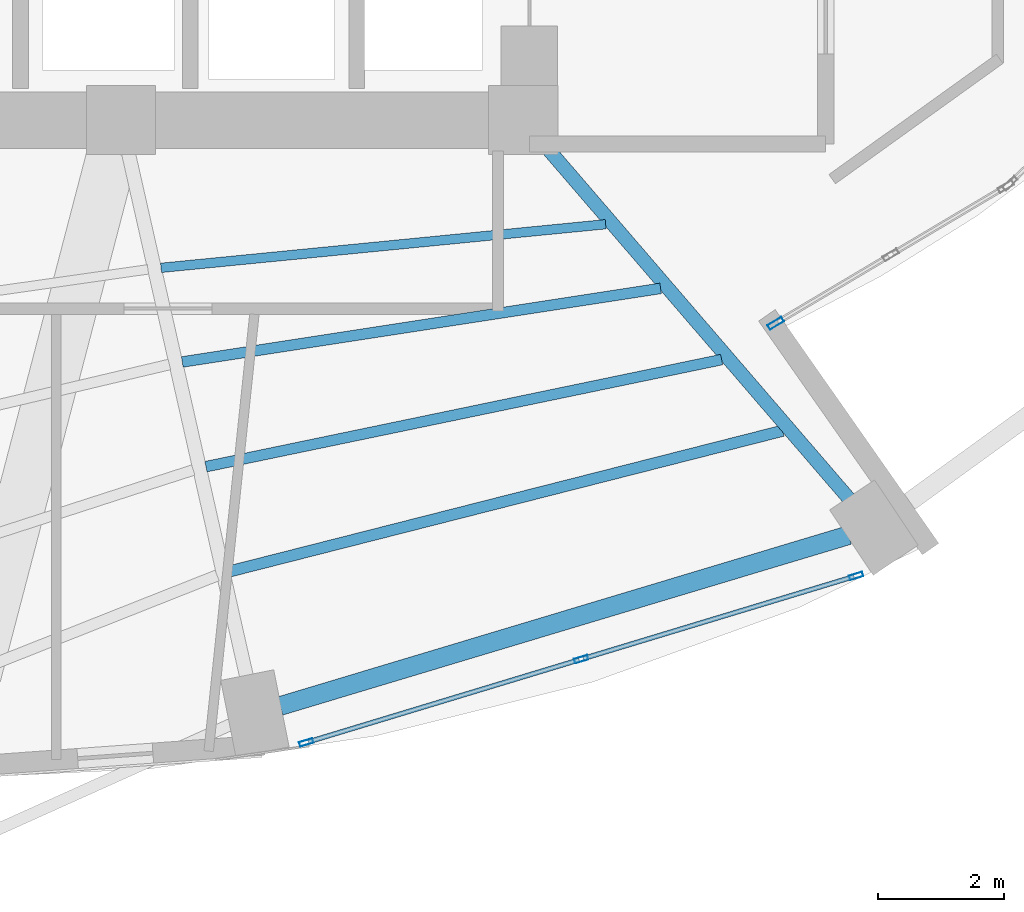
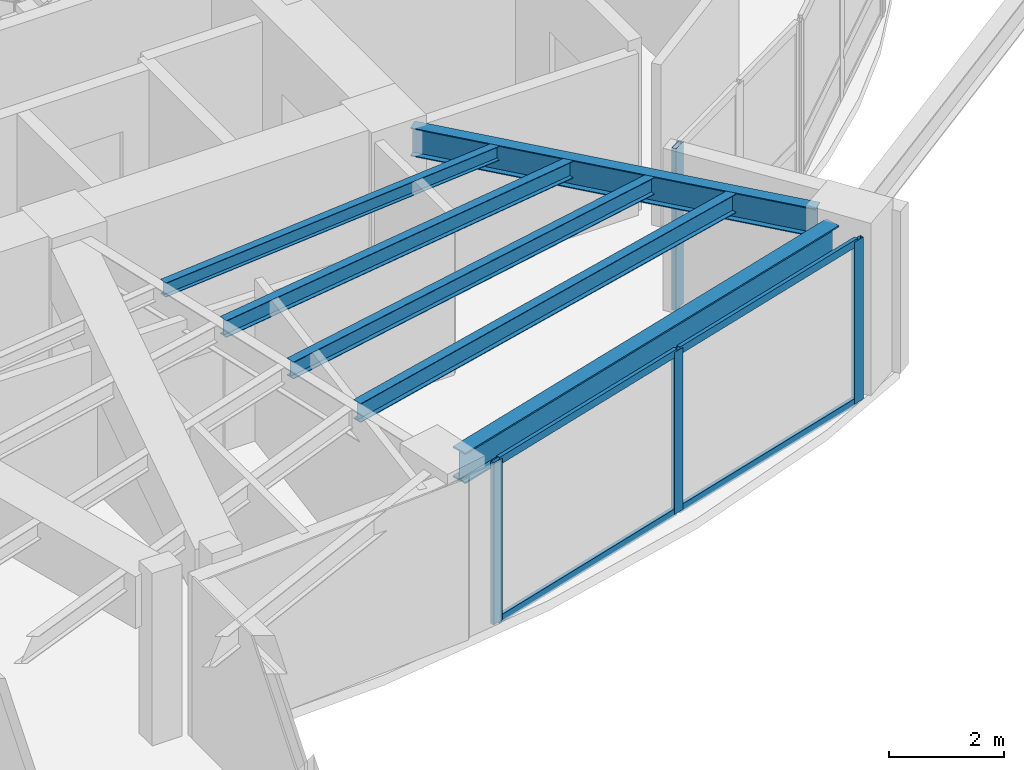
# One storey, part 9 of 24: 8 members, 6 beams, 2 elements without a shape of their own.
"""IFC4 building model written with IfcOpenShell, lengths in metres."""

from ifc_helpers import new_model, si_unit, direction, frame, origin, origin_2d, place, context, subcontext, project, spatial, hollow_rectangle, i_section, extrude, material, layer, layer_set, material_profile, profile_set, type_object, element, aggregate, save


model = new_model("IFC4")

# Units and contexts
model_context = context("Model", 3, precision=1e-05, world=origin(), true_north=direction((0.0, 1.0)))
body_context = subcontext(model_context, "Body", "Model", "MODEL_VIEW")
ifc_project = project(units=[si_unit("LENGTHUNIT", "METRE"), si_unit("AREAUNIT", "SQUARE_METRE"), si_unit("VOLUMEUNIT", "CUBIC_METRE"), si_unit("PLANEANGLEUNIT", "RADIAN"), si_unit("MASSUNIT", "GRAM", prefix="KILO")], contexts=[model_context])

# Site, building, storey
site_placement = place(None, origin())
site = spatial("IfcSite", under=ifc_project, at=site_placement, CompositionType="ELEMENT")
building_placement = place(site_placement, origin())
building = spatial("IfcBuilding", under=site, at=building_placement, Name="Lazwardi Medical Tower", CompositionType="ELEMENT")
storey_placement = place(building_placement, frame((0.0, 0.0, 61.679931640625)))
storey = spatial("IfcBuildingStorey", under=building, at=storey_placement, Name="L15", CompositionType="ELEMENT", Elevation=61.679931640625)

# Beams
ifc_material_1 = material(Name="Steel S355", Category="steel")
ifc_material_profile_1 = material_profile(ifc_material_1, i_section(OverallWidth=0.300048828125, OverallDepth=0.64990234375, WebThickness=0.01611328125, FlangeThickness=0.031005859375, at=origin_2d()), Name="HEB 650")
ifc_profile_set_1 = profile_set([ifc_material_profile_1], Name="Steel S355")
beam_type_1 = type_object("IfcBeamType", Name="BM-RB-Z1", PredefinedType="BEAM", material=ifc_profile_set_1)
beam_1_placement = place(storey_placement, frame((41.73291015625, 11.076904296875, 3.10302734375), z_axis=(0.957695289269, 0.287784177662, 0.0), x_axis=(-0.287784177662, 0.957695289269, 0.0)))
element("IfcBeam", 1, at=beam_1_placement, inside=storey, type_object=beam_type_1, Name="Ring beam RB-02 B01 L15", PredefinedType="BEAM", context=body_context, shape_type="SweptSolid", body=[
    extrude(i_section(OverallWidth=0.300048828125, OverallDepth=0.64990234375, WebThickness=0.01611328125, FlangeThickness=0.031005859375, at=origin_2d()), origin(), (0.0, 0.0, 1.0), 9.445556640625),
])
ifc_material_profile_2 = material_profile(ifc_material_1, i_section(OverallWidth=0.219970703125, OverallDepth=0.60009765625, WebThickness=0.011962890625, FlangeThickness=0.01904296875, at=origin_2d()), Name="IPE 600")
ifc_profile_set_2 = profile_set([ifc_material_profile_2], Name="Steel S355")
beam_type_2 = type_object("IfcBeamType", Name="BM-RG-W1", PredefinedType="BEAM", material=ifc_profile_set_2)
beam_2_placement = place(storey_placement, frame((50.802490234375, 14.355712890625, 3.128173828125), z_axis=(-0.652368190463, 0.757902199543, 0.0), x_axis=(-0.757902199543, -0.652368190463, 0.0)))
element("IfcBeam", 2, at=beam_2_placement, inside=storey, type_object=beam_type_2, Name="Radial girder RG-02 R02 L15", PredefinedType="BEAM", context=body_context, shape_type="SweptSolid", body=[
    extrude(i_section(OverallWidth=0.219970703125, OverallDepth=0.60009765625, WebThickness=0.011962890625, FlangeThickness=0.01904296875, at=origin_2d()), origin(), (0.0, 0.0, 1.0), 7.43994140625),
])
ifc_material_profile_3 = material_profile(ifc_material_1, i_section(OverallWidth=0.179931640625, OverallDepth=0.39990234375, WebThickness=0.008544921875, FlangeThickness=0.013427734375, at=origin_2d()), Name="IPE 400")
ifc_profile_set_3 = profile_set([ifc_material_profile_3], Name="Steel S355")
beam_type_3 = type_object("IfcBeamType", Name="BM-SJ-01", PredefinedType="JOIST", material=ifc_profile_set_3)
beam_3_placement = place(storey_placement, frame((40.927734375, 13.218994140625, 3.22802734375), z_axis=(0.969151012048, 0.246467677081, 0.0), x_axis=(-0.246467677081, 0.969151012048, 0.0)))
element("IfcBeam", 3, at=beam_3_placement, inside=storey, type_object=beam_type_3, Name="Secondary joist SJ-01 R1 B01 L15", PredefinedType="JOIST", context=body_context, shape_type="SweptSolid", body=[
    extrude(i_section(OverallWidth=0.179931640625, OverallDepth=0.39990234375, WebThickness=0.008544921875, FlangeThickness=0.013427734375, at=origin_2d()), origin(), (0.0, 0.0, 1.0), 9.08251953125),
])
ifc_material_profile_4 = material_profile(ifc_material_1, i_section(OverallWidth=0.169921875, OverallDepth=0.360107421875, WebThickness=0.008056640625, FlangeThickness=0.0126953125, at=origin_2d()), Name="IPE 360")
ifc_profile_set_4 = profile_set([ifc_material_profile_4], Name="Steel S355")
beam_type_4 = type_object("IfcBeamType", Name="BM-SJ-02", PredefinedType="JOIST", material=ifc_profile_set_4)
beam_4_placement = place(storey_placement, frame((40.5517578125, 14.885498046875, 3.248046875), z_axis=(0.979107693723, 0.203342381445, 0.0), x_axis=(-0.203342381445, 0.979107693723, 0.0)))
element("IfcBeam", 4, at=beam_4_placement, inside=storey, type_object=beam_type_4, Name="Secondary joist SJ-02 R2 B01 L15", PredefinedType="JOIST", context=body_context, shape_type="SweptSolid", body=[
    extrude(i_section(OverallWidth=0.169921875, OverallDepth=0.360107421875, WebThickness=0.008056640625, FlangeThickness=0.0126953125, at=origin_2d()), origin(), (0.0, 0.0, 1.0), 8.381591796875),
])
beam_5_placement = place(storey_placement, frame((40.175537109375, 16.551513671875, 3.248046875), z_axis=(0.988362899594, 0.152114360618, 0.0), x_axis=(-0.152114360618, 0.988362899594, 0.0)))
element("IfcBeam", 5, at=beam_5_placement, inside=storey, type_object=beam_type_4, Name="Secondary joist SJ-02 R3 B01 L15", PredefinedType="JOIST", context=body_context, shape_type="SweptSolid", body=[
    extrude(i_section(OverallWidth=0.169921875, OverallDepth=0.360107421875, WebThickness=0.008056640625, FlangeThickness=0.0126953125, at=origin_2d()), origin(), (0.0, 0.0, 1.0), 7.70068359375),
])
ifc_material_profile_5 = material_profile(ifc_material_1, i_section(OverallWidth=0.14990234375, OverallDepth=0.300048828125, WebThickness=0.007080078125, FlangeThickness=0.0107421875, at=origin_2d()), Name="IPE 300")
ifc_profile_set_5 = profile_set([ifc_material_profile_5], Name="Steel S355")
beam_type_5 = type_object("IfcBeamType", Name="BM-SJ-03", PredefinedType="JOIST", material=ifc_profile_set_5)
beam_6_placement = place(storey_placement, frame((39.8369140625, 18.0498046875, 3.278076171875), z_axis=(0.995226105538, 0.097596100616, 0.0), x_axis=(-0.097596100616, 0.995226105538, 0.0)))
element("IfcBeam", 6, at=beam_6_placement, inside=storey, type_object=beam_type_5, Name="Secondary joist SJ-03 R4 B01 L15", PredefinedType="JOIST", context=body_context, shape_type="SweptSolid", body=[
    extrude(i_section(OverallWidth=0.14990234375, OverallDepth=0.300048828125, WebThickness=0.007080078125, FlangeThickness=0.0107421875, at=origin_2d()), origin(), (0.0, 0.0, 1.0), 7.109375),
])

# Curtain wall, members
ifc_material_2 = material(Name="Anodised bronze aluminium and solar control glazing", Category="aluminium")
ifc_layer_1 = layer(ifc_material_2, 0.199951171875)
ifc_layer_set_1 = layer_set([ifc_layer_1], Name="Anodised bronze aluminium and solar control glazing")
curtain_wall_type_1 = type_object("IfcCurtainWallType", Name="CW-SYS-02", PredefinedType="NOTDEFINED", material=ifc_layer_set_1)
curtain_wall_1_placement = place(storey_placement, origin())
curtain_wall_1 = element("IfcCurtainWall", 7, at=curtain_wall_1_placement, inside=storey, type_object=curtain_wall_type_1, Name="L15 Unitised bronze curtain wall CW-02", PredefinedType="NOTDEFINED")
ifc_material_3 = material(Name="Anodised bronze aluminium", Category="aluminium")
ifc_material_profile_6 = material_profile(ifc_material_3, hollow_rectangle(XDim=0.074951171875, YDim=0.219970703125, WallThickness=0.00390625, at=origin_2d()), Name="ALU-MULLION 220x75x4")
ifc_profile_set_6 = profile_set([ifc_material_profile_6], Name="Anodised bronze aluminium")
member_type_1 = type_object("IfcMemberType", Name="CW-MUL-01", PredefinedType="MULLION", material=ifc_profile_set_6)
member_1_placement = place(storey_placement, frame((42.14794921875, 10.496337890625, 0.0), z_axis=(0.0, 0.0, 1.0), x_axis=(-0.2898956909, 0.957058247129, 0.0)))
member_1 = element("IfcMember", 8, at=member_1_placement, type_object=member_type_1, Name="CW-02 mullion 1", PredefinedType="MULLION", context=body_context, shape_type="SweptSolid", body=[
    extrude(hollow_rectangle(XDim=0.074951171875, YDim=0.219970703125, WallThickness=0.00390625, at=origin_2d()), origin(), (0.0, 0.0, 1.0), 3.427978515625),
])
member_2_placement = place(storey_placement, frame((46.523193359375, 11.821533203125, 0.0), z_axis=(0.0, 0.0, 1.0), x_axis=(-0.2898956909, 0.957058247129, 0.0)))
member_2 = element("IfcMember", 9, at=member_2_placement, type_object=member_type_1, Name="CW-02 mullion 2", PredefinedType="MULLION", context=body_context, shape_type="SweptSolid", body=[
    extrude(hollow_rectangle(XDim=0.074951171875, YDim=0.219970703125, WallThickness=0.00390625, at=origin_2d()), origin(), (0.0, 0.0, 1.0), 3.427978515625),
])
member_3_placement = place(storey_placement, frame((50.8984375, 13.146728515625, 0.0), z_axis=(0.0, 0.0, 1.0), x_axis=(-0.2898956909, 0.957058247129, 0.0)))
member_3 = element("IfcMember", 10, at=member_3_placement, type_object=member_type_1, Name="CW-02 mullion 3", PredefinedType="MULLION", context=body_context, shape_type="SweptSolid", body=[
    extrude(hollow_rectangle(XDim=0.074951171875, YDim=0.219970703125, WallThickness=0.00390625, at=origin_2d()), origin(), (0.0, 0.0, 1.0), 3.427978515625),
])

# Curtain wall, member
ifc_layer_2 = layer(ifc_material_2, 0.239990234375)
ifc_layer_set_2 = layer_set([ifc_layer_2], Name="Anodised bronze aluminium and solar control glazing")
curtain_wall_type_2 = type_object("IfcCurtainWallType", Name="CW-SYS-05", PredefinedType="NOTDEFINED", material=ifc_layer_set_2)
curtain_wall_2_placement = place(storey_placement, origin())
curtain_wall_2 = element("IfcCurtainWall", 11, at=curtain_wall_2_placement, inside=storey, type_object=curtain_wall_type_2, Name="L15 Unitised bronze curtain wall CW-05", PredefinedType="NOTDEFINED")
ifc_material_profile_7 = material_profile(ifc_material_3, hollow_rectangle(XDim=0.0849609375, YDim=0.260009765625, WallThickness=0.0048828125, at=origin_2d()), Name="ALU-MULLION 260x85x5")
ifc_profile_set_7 = profile_set([ifc_material_profile_7], Name="Anodised bronze aluminium")
member_type_2 = type_object("IfcMemberType", Name="CW-MUL-02", PredefinedType="MULLION", material=ifc_profile_set_7)
member_4_placement = place(storey_placement, frame((49.618896484375, 17.167724609375, 0.0), z_axis=(0.0, 0.0, 1.0), x_axis=(-0.510680174917, 0.859770759532, 0.0)))
member_4 = element("IfcMember", 12, at=member_4_placement, type_object=member_type_2, Name="CW-05 mullion 1", PredefinedType="MULLION", context=body_context, shape_type="SweptSolid", body=[
    extrude(hollow_rectangle(XDim=0.0849609375, YDim=0.260009765625, WallThickness=0.0048828125, at=origin_2d()), origin(), (0.0, 0.0, 1.0), 3.427978515625),
])
aggregate(curtain_wall_2, [member_4])

# Member
ifc_material_profile_8 = material_profile(ifc_material_3, hollow_rectangle(XDim=0.074951171875, YDim=0.159912109375, WallThickness=0.00390625, at=origin_2d()), Name="ALU-TRANSOM 160x75x4")
ifc_profile_set_8 = profile_set([ifc_material_profile_8], Name="Anodised bronze aluminium")
member_type_3 = type_object("IfcMemberType", Name="CW-TRN-01", PredefinedType="USERDEFINED", material=ifc_profile_set_8)
member_5_placement = place(storey_placement, frame((42.183837890625, 10.507080078125, 0.03759765625), z_axis=(0.957047233423, 0.28993204893, 0.0), x_axis=(-0.28993204893, 0.957047233423, 0.0)))
member_5 = element("IfcMember", 13, at=member_5_placement, type_object=member_type_3, Name="CW-02 transom 1.1", ObjectType="TRANSOM", PredefinedType="USERDEFINED", context=body_context, shape_type="SweptSolid", body=[
    extrude(hollow_rectangle(XDim=0.074951171875, YDim=0.159912109375, WallThickness=0.00390625, at=origin_2d()), origin(), (0.0, 0.0, 1.0), 4.49658203125),
])

member_6_placement = place(storey_placement, frame((42.183837890625, 10.507080078125, 3.390625), z_axis=(0.957047233423, 0.28993204893, 0.0), x_axis=(-0.28993204893, 0.957047233423, 0.0)))
member_6 = element("IfcMember", 14, at=member_6_placement, type_object=member_type_3, Name="CW-02 transom 1.2", ObjectType="TRANSOM", PredefinedType="USERDEFINED", context=body_context, shape_type="SweptSolid", body=[
    extrude(hollow_rectangle(XDim=0.074951171875, YDim=0.159912109375, WallThickness=0.00390625, at=origin_2d()), origin(), (0.0, 0.0, 1.0), 4.49658203125),
])

member_7_placement = place(storey_placement, frame((46.55908203125, 11.83251953125, 0.03759765625), z_axis=(0.957062297904, 0.289882317383, 0.0), x_axis=(-0.289882317383, 0.957062297904, 0.0)))
member_7 = element("IfcMember", 15, at=member_7_placement, type_object=member_type_3, Name="CW-02 transom 2.1", ObjectType="TRANSOM", PredefinedType="USERDEFINED", context=body_context, shape_type="SweptSolid", body=[
    extrude(hollow_rectangle(XDim=0.074951171875, YDim=0.159912109375, WallThickness=0.00390625, at=origin_2d()), origin(), (0.0, 0.0, 1.0), 4.49658203125),
])

member_8_placement = place(storey_placement, frame((46.55908203125, 11.83251953125, 3.390625), z_axis=(0.957062297904, 0.289882317383, 0.0), x_axis=(-0.289882317383, 0.957062297904, 0.0)))
member_8 = element("IfcMember", 16, at=member_8_placement, type_object=member_type_3, Name="CW-02 transom 2.2", ObjectType="TRANSOM", PredefinedType="USERDEFINED", context=body_context, shape_type="SweptSolid", body=[
    extrude(hollow_rectangle(XDim=0.074951171875, YDim=0.159912109375, WallThickness=0.00390625, at=origin_2d()), origin(), (0.0, 0.0, 1.0), 4.49658203125),
])

aggregate(curtain_wall_1, [member_1, member_2, member_3, member_5, member_6, member_7, member_8])

save(model, "model.ifc")
